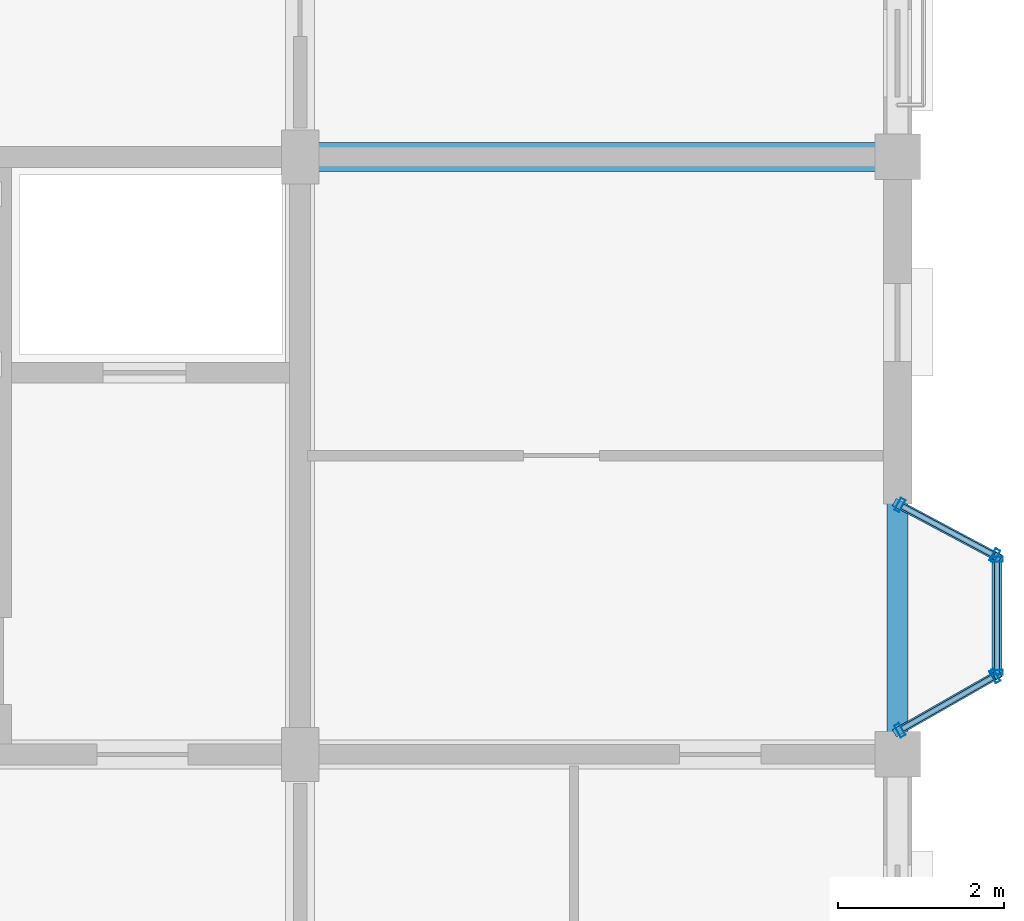
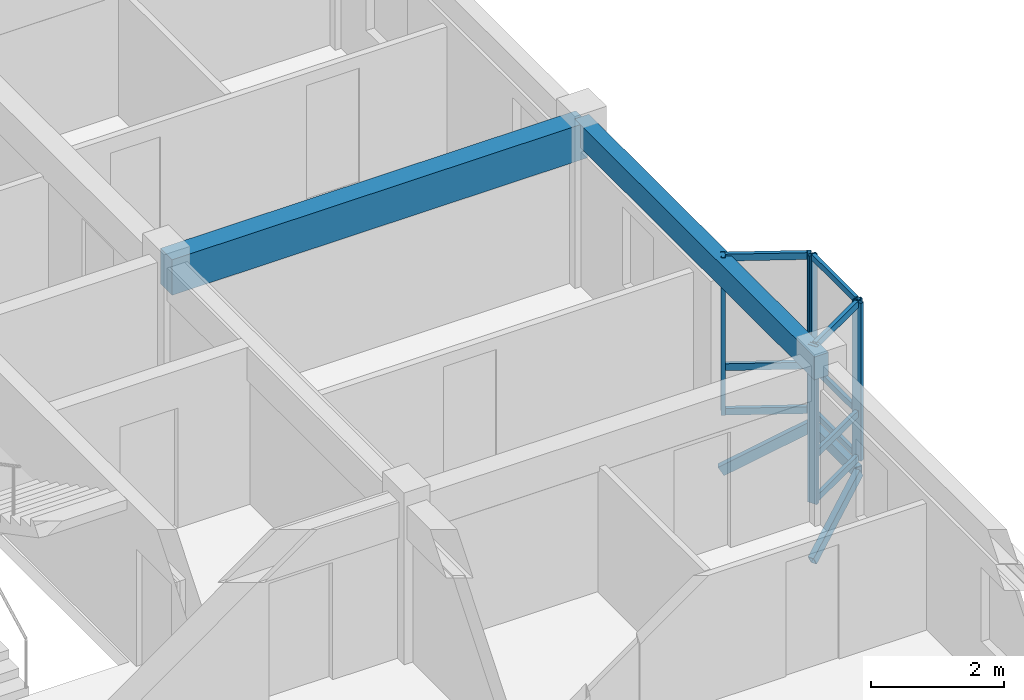
# One storey, part 30 of 79: 18 members, 2 beams, 3 elements without a shape of their own.
"""IFC4 building model written with IfcOpenShell, lengths in metres."""

from ifc_helpers import new_model, si_unit, direction, frame, origin, origin_2d, place, context, subcontext, project, spatial, rectangle, hollow_rectangle, extrude, material, layer, layer_set, material_profile, profile_set, type_object, element, aggregate, save


model = new_model("IFC4")

# Units and contexts
model_context = context("Model", 3, precision=1e-05, world=origin(), true_north=direction((0.0, 1.0)))
body_context = subcontext(model_context, "Body", "Model", "MODEL_VIEW")
ifc_project = project(units=[si_unit("LENGTHUNIT", "METRE"), si_unit("AREAUNIT", "SQUARE_METRE"), si_unit("VOLUMEUNIT", "CUBIC_METRE"), si_unit("PLANEANGLEUNIT", "RADIAN"), si_unit("MASSUNIT", "GRAM", prefix="KILO"), si_unit("THERMODYNAMICTEMPERATUREUNIT", "KELVIN"), si_unit("POWERUNIT", "WATT")], contexts=[model_context])

# Site, building, storey
site_placement = place(None, origin())
site = spatial("IfcSite", under=ifc_project, at=site_placement, CompositionType="ELEMENT")
building_placement = place(site_placement, origin())
building = spatial("IfcBuilding", under=site, at=building_placement, Name="Tavuni Mirador Residences", CompositionType="ELEMENT")
storey_placement = place(building_placement, frame((0.0, 0.0, 13.949951171875)))
storey = spatial("IfcBuildingStorey", under=building, at=storey_placement, Name="L04", CompositionType="ELEMENT", Elevation=13.949951171875)

# Beams
ifc_material_1 = material(Name="Precast concrete C40/50", Category="concrete")
ifc_material_profile_1 = material_profile(ifc_material_1, rectangle(XDim=0.35009765625, YDim=0.64990234375, at=origin_2d()), Name="PC 350x650", Category="concrete")
ifc_profile_set_1 = profile_set([ifc_material_profile_1], Name="Precast concrete C40/50")
beam_type_1 = type_object("IfcBeamType", Name="BT-B650", PredefinedType="BEAM", material=ifc_profile_set_1)
beam_1_placement = place(storey_placement, frame((111.60009765625, 115.199951171875, 2.56494140625), z_axis=(1.0, 0.0, 0.0), x_axis=(0.0, 1.0, 0.0)))
element("IfcBeam", 1, at=beam_1_placement, inside=storey, type_object=beam_type_1, Name="BMX-BLK-D-L04-03-04", PredefinedType="BEAM", context=body_context, shape_type="SweptSolid", body=[
    extrude(rectangle(XDim=0.35009765625, YDim=0.64990234375, at=origin_2d()), origin(), (0.0, 0.0, 1.0), 7.199951171875),
])
ifc_material_profile_2 = material_profile(ifc_material_1, rectangle(XDim=0.25, YDim=0.419921875, at=origin_2d()), Name="PC 250x420", Category="concrete")
ifc_profile_set_2 = profile_set([ifc_material_profile_2], Name="Precast concrete C40/50")
beam_type_2 = type_object("IfcBeamType", Name="BT-SP420", PredefinedType="SPANDREL", material=ifc_profile_set_2)
beam_2_placement = place(storey_placement, frame((118.800048828125, 108.0, 2.679931640625), z_axis=(0.0, 1.0, 0.0), x_axis=(-1.0, 0.0, 0.0)))
element("IfcBeam", 2, at=beam_2_placement, inside=storey, type_object=beam_type_2, Name="BMY-BLK-D-L04-04-03", PredefinedType="SPANDREL", context=body_context, shape_type="SweptSolid", body=[
    extrude(rectangle(XDim=0.25, YDim=0.419921875, at=origin_2d()), origin(), (0.0, 0.0, 1.0), 7.199951171875),
])

# Curtain wall, members
ifc_material_2 = material(Name="Anodised aluminium", Category="aluminium")
ifc_layer_1 = layer(ifc_material_2, 0.175048828125, Name="Anodised aluminium", Category="aluminium")
ifc_layer_set_1 = layer_set([ifc_layer_1], Name="Anodised aluminium")
curtain_wall_type_1 = type_object("IfcCurtainWallType", Name="CWT-MIR-C", PredefinedType="NOTDEFINED", material=ifc_layer_set_1)
curtain_wall_1_placement = place(storey_placement, origin())
curtain_wall_1 = element("IfcCurtainWall", 3, at=curtain_wall_1_placement, inside=storey, type_object=curtain_wall_type_1, Name="CW-MIR-D-E2-L04-MF", PredefinedType="NOTDEFINED")
ifc_material_profile_3 = material_profile(ifc_material_2, hollow_rectangle(XDim=0.06005859375, YDim=0.139892578125, WallThickness=0.00390625, at=origin_2d()), Name="ALU 60x140x4.0", Category="aluminium")
ifc_profile_set_3 = profile_set([ifc_material_profile_3], Name="Anodised aluminium")
member_type_1 = type_object("IfcMemberType", Name="CWM-140", PredefinedType="MULLION", material=ifc_profile_set_3)
member_1_placement = place(storey_placement, frame((120.0, 108.989990234375, 0.0), z_axis=(0.0, 0.0, 1.0), x_axis=(0.0, 1.0, 0.0)))
member_1 = element("IfcMember", 4, at=member_1_placement, type_object=member_type_1, Name="CW-03 mullion 1", PredefinedType="MULLION", context=body_context, shape_type="SweptSolid", body=[
    extrude(hollow_rectangle(XDim=0.06005859375, YDim=0.139892578125, WallThickness=0.00390625, at=origin_2d()), origin(), (0.0, 0.0, 1.0), 2.89013671875),
])
member_2_placement = place(storey_placement, frame((120.0, 110.35009765625, 0.0), z_axis=(0.0, 0.0, 1.0), x_axis=(0.0, 1.0, 0.0)))
member_2 = element("IfcMember", 5, at=member_2_placement, type_object=member_type_1, Name="CW-03 mullion 2", PredefinedType="MULLION", context=body_context, shape_type="SweptSolid", body=[
    extrude(hollow_rectangle(XDim=0.06005859375, YDim=0.139892578125, WallThickness=0.00390625, at=origin_2d()), origin(), (0.0, 0.0, 1.0), 2.89013671875),
])

ifc_layer_2 = layer(ifc_material_2, 0.14990234375, Name="Anodised aluminium", Category="aluminium")
ifc_layer_set_2 = layer_set([ifc_layer_2], Name="Anodised aluminium")
curtain_wall_type_2 = type_object("IfcCurtainWallType", Name="CWT-MIR-B", PredefinedType="NOTDEFINED", material=ifc_layer_set_2)
curtain_wall_2_placement = place(storey_placement, origin())
curtain_wall_2 = element("IfcCurtainWall", 6, at=curtain_wall_2_placement, inside=storey, type_object=curtain_wall_type_2, Name="CW-MIR-D-E2-L04-M1", PredefinedType="NOTDEFINED")
ifc_material_profile_4 = material_profile(ifc_material_2, hollow_rectangle(XDim=0.06494140625, YDim=0.1650390625, WallThickness=0.00439453125, at=origin_2d()), Name="ALU 65x165x4.5", Category="aluminium")
ifc_profile_set_4 = profile_set([ifc_material_profile_4], Name="Anodised aluminium")
member_type_2 = type_object("IfcMemberType", Name="CWM-165", PredefinedType="MULLION", material=ifc_profile_set_4)
member_3_placement = place(storey_placement, frame((118.828125, 108.291015625, 0.0), z_axis=(0.0, 0.0, 1.0), x_axis=(0.868465738194, 0.495749192217, 0.0)))
member_3 = element("IfcMember", 7, at=member_3_placement, type_object=member_type_2, Name="CW-02 mullion 1", PredefinedType="MULLION", context=body_context, shape_type="SweptSolid", body=[
    extrude(hollow_rectangle(XDim=0.06494140625, YDim=0.1650390625, WallThickness=0.00439453125, at=origin_2d()), origin(), (0.0, 0.0, 1.0), 2.89013671875),
])
member_4_placement = place(storey_placement, frame((119.9716796875, 108.94384765625, 0.0), z_axis=(0.0, 0.0, 1.0), x_axis=(0.868465738194, 0.495749192217, 0.0)))
member_4 = element("IfcMember", 8, at=member_4_placement, type_object=member_type_2, Name="CW-02 mullion 2", PredefinedType="MULLION", context=body_context, shape_type="SweptSolid", body=[
    extrude(hollow_rectangle(XDim=0.06494140625, YDim=0.1650390625, WallThickness=0.00439453125, at=origin_2d()), origin(), (0.0, 0.0, 1.0), 2.89013671875),
])

ifc_layer_3 = layer(ifc_material_2, 0.159912109375, Name="Anodised aluminium", Category="aluminium")
ifc_layer_set_3 = layer_set([ifc_layer_3], Name="Anodised aluminium")
curtain_wall_type_3 = type_object("IfcCurtainWallType", Name="CWT-MIR-D", PredefinedType="NOTDEFINED", material=ifc_layer_set_3)
curtain_wall_3_placement = place(storey_placement, origin())
curtain_wall_3 = element("IfcCurtainWall", 9, at=curtain_wall_3_placement, inside=storey, type_object=curtain_wall_type_3, Name="CW-MIR-D-E2-L04-M2", PredefinedType="NOTDEFINED")
member_5_placement = place(storey_placement, frame((119.971435546875, 110.395263671875, 0.0), z_axis=(0.0, 0.0, 1.0), x_axis=(-0.882352941175, 0.470588235296, 0.0)))
member_5 = element("IfcMember", 10, at=member_5_placement, type_object=member_type_2, Name="CW-04 mullion 1", PredefinedType="MULLION", context=body_context, shape_type="SweptSolid", body=[
    extrude(hollow_rectangle(XDim=0.06494140625, YDim=0.1650390625, WallThickness=0.00439453125, at=origin_2d()), origin(), (0.0, 0.0, 1.0), 2.89013671875),
])
member_6_placement = place(storey_placement, frame((118.82861328125, 111.004638671875, 0.0), z_axis=(0.0, 0.0, 1.0), x_axis=(-0.882352941175, 0.470588235296, 0.0)))
member_6 = element("IfcMember", 11, at=member_6_placement, type_object=member_type_2, Name="CW-04 mullion 2", PredefinedType="MULLION", context=body_context, shape_type="SweptSolid", body=[
    extrude(hollow_rectangle(XDim=0.06494140625, YDim=0.1650390625, WallThickness=0.00439453125, at=origin_2d()), origin(), (0.0, 0.0, 1.0), 2.89013671875),
])

# Member
ifc_material_profile_5 = material_profile(ifc_material_2, hollow_rectangle(XDim=0.06005859375, YDim=0.110107421875, WallThickness=0.00390625, at=origin_2d()), Name="ALU 60x110x4.0", Category="aluminium")
ifc_profile_set_5 = profile_set([ifc_material_profile_5], Name="Anodised aluminium")
member_type_3 = type_object("IfcMemberType", Name="CWT-110", PredefinedType="USERDEFINED", material=ifc_profile_set_5)
member_7_placement = place(storey_placement, frame((120.0, 109.02001953125, 0.030029296875), z_axis=(0.0, 1.0, 0.0), x_axis=(-1.0, 0.0, 0.0)))
member_7 = element("IfcMember", 12, at=member_7_placement, type_object=member_type_3, Name="CW-03 transom 1.1", ObjectType="TRANSOM", PredefinedType="USERDEFINED", context=body_context, shape_type="SweptSolid", body=[
    extrude(hollow_rectangle(XDim=0.06005859375, YDim=0.110107421875, WallThickness=0.00390625, at=origin_2d()), origin(), (0.0, 0.0, 1.0), 1.300048828125),
])

member_8_placement = place(storey_placement, frame((120.0, 109.02001953125, 0.85009765625), z_axis=(0.0, 1.0, 0.0), x_axis=(-1.0, 0.0, 0.0)))
member_8 = element("IfcMember", 13, at=member_8_placement, type_object=member_type_3, Name="CW-03 transom 1.2", ObjectType="TRANSOM", PredefinedType="USERDEFINED", context=body_context, shape_type="SweptSolid", body=[
    extrude(hollow_rectangle(XDim=0.06005859375, YDim=0.110107421875, WallThickness=0.00390625, at=origin_2d()), origin(), (0.0, 0.0, 1.0), 1.300048828125),
])

member_9_placement = place(storey_placement, frame((120.0, 109.02001953125, 2.860107421875), z_axis=(0.0, 1.0, 0.0), x_axis=(-1.0, 0.0, 0.0)))
member_9 = element("IfcMember", 14, at=member_9_placement, type_object=member_type_3, Name="CW-03 transom 1.3", ObjectType="TRANSOM", PredefinedType="USERDEFINED", context=body_context, shape_type="SweptSolid", body=[
    extrude(hollow_rectangle(XDim=0.06005859375, YDim=0.110107421875, WallThickness=0.00390625, at=origin_2d()), origin(), (0.0, 0.0, 1.0), 1.300048828125),
])

aggregate(curtain_wall_1, [member_1, member_2, member_7, member_8, member_9])

ifc_material_profile_6 = material_profile(ifc_material_2, hollow_rectangle(XDim=0.06494140625, YDim=0.125, WallThickness=0.00439453125, at=origin_2d()), Name="ALU 65x125x4.5", Category="aluminium")
ifc_profile_set_6 = profile_set([ifc_material_profile_6], Name="Anodised aluminium")
member_type_4 = type_object("IfcMemberType", Name="CWT-125", PredefinedType="USERDEFINED", material=ifc_profile_set_6)
member_10_placement = place(storey_placement, frame((118.8564453125, 108.30712890625, 0.032470703125), z_axis=(0.868459090685, 0.495760837306, 0.0), x_axis=(-0.495760837306, 0.868459090685, 0.0)))
member_10 = element("IfcMember", 15, at=member_10_placement, type_object=member_type_4, Name="CW-02 transom 1.1", ObjectType="TRANSOM", PredefinedType="USERDEFINED", context=body_context, shape_type="SweptSolid", body=[
    extrude(hollow_rectangle(XDim=0.06494140625, YDim=0.125, WallThickness=0.00439453125, at=origin_2d()), origin(), (0.0, 0.0, 1.0), 1.251708984375),
])

member_11_placement = place(storey_placement, frame((118.8564453125, 108.30712890625, 0.85009765625), z_axis=(0.868459090685, 0.495760837306, 0.0), x_axis=(-0.495760837306, 0.868459090685, 0.0)))
member_11 = element("IfcMember", 16, at=member_11_placement, type_object=member_type_4, Name="CW-02 transom 1.2", ObjectType="TRANSOM", PredefinedType="USERDEFINED", context=body_context, shape_type="SweptSolid", body=[
    extrude(hollow_rectangle(XDim=0.06494140625, YDim=0.125, WallThickness=0.00439453125, at=origin_2d()), origin(), (0.0, 0.0, 1.0), 1.251708984375),
])

member_12_placement = place(storey_placement, frame((118.8564453125, 108.30712890625, 2.857666015625), z_axis=(0.868459090685, 0.495760837306, 0.0), x_axis=(-0.495760837306, 0.868459090685, 0.0)))
member_12 = element("IfcMember", 17, at=member_12_placement, type_object=member_type_4, Name="CW-02 transom 1.3", ObjectType="TRANSOM", PredefinedType="USERDEFINED", context=body_context, shape_type="SweptSolid", body=[
    extrude(hollow_rectangle(XDim=0.06494140625, YDim=0.125, WallThickness=0.00439453125, at=origin_2d()), origin(), (0.0, 0.0, 1.0), 1.251708984375),
])

aggregate(curtain_wall_2, [member_3, member_4, member_10, member_11, member_12])

member_13_placement = place(storey_placement, frame((119.942626953125, 110.41064453125, 0.032470703125), z_axis=(-0.882325465843, 0.470639747922, 0.0), x_axis=(-0.470639747922, -0.882325465843, 0.0)))
member_13 = element("IfcMember", 18, at=member_13_placement, type_object=member_type_4, Name="CW-04 transom 1.1", ObjectType="TRANSOM", PredefinedType="USERDEFINED", context=body_context, shape_type="SweptSolid", body=[
    extrude(hollow_rectangle(XDim=0.06494140625, YDim=0.125, WallThickness=0.00439453125, at=origin_2d()), origin(), (0.0, 0.0, 1.0), 1.22998046875),
])

member_14_placement = place(storey_placement, frame((119.942626953125, 110.41064453125, 0.85009765625), z_axis=(-0.882325465843, 0.470639747922, 0.0), x_axis=(-0.470639747922, -0.882325465843, 0.0)))
member_14 = element("IfcMember", 19, at=member_14_placement, type_object=member_type_4, Name="CW-04 transom 1.2", ObjectType="TRANSOM", PredefinedType="USERDEFINED", context=body_context, shape_type="SweptSolid", body=[
    extrude(hollow_rectangle(XDim=0.06494140625, YDim=0.125, WallThickness=0.00439453125, at=origin_2d()), origin(), (0.0, 0.0, 1.0), 1.22998046875),
])

member_15_placement = place(storey_placement, frame((119.942626953125, 110.41064453125, 2.857666015625), z_axis=(-0.882325465843, 0.470639747922, 0.0), x_axis=(-0.470639747922, -0.882325465843, 0.0)))
member_15 = element("IfcMember", 20, at=member_15_placement, type_object=member_type_4, Name="CW-04 transom 1.3", ObjectType="TRANSOM", PredefinedType="USERDEFINED", context=body_context, shape_type="SweptSolid", body=[
    extrude(hollow_rectangle(XDim=0.06494140625, YDim=0.125, WallThickness=0.00439453125, at=origin_2d()), origin(), (0.0, 0.0, 1.0), 1.22998046875),
])

aggregate(curtain_wall_3, [member_5, member_6, member_13, member_14, member_15])

# Members
ifc_material_3 = material(Name="Structural steel S355", Category="steel")
ifc_material_profile_7 = material_profile(ifc_material_3, hollow_rectangle(XDim=0.10009765625, YDim=0.179931640625, WallThickness=0.008056640625, at=origin_2d()), Name="RHS 180x100x8.0", Category="steel")
ifc_profile_set_7 = profile_set([ifc_material_profile_7], Name="Structural steel S355")
member_type_5 = type_object("IfcMemberType", Name="MT-BR-RHS180", PredefinedType="BRACE", material=ifc_profile_set_7)
member_16_placement = place(storey_placement, frame((118.800048828125, 108.27490234375, -1.050048828125), z_axis=(0.753903905175, 0.430407804256, 0.496364809185), x_axis=(-0.495796390047, 0.868438794398, 0.0)))
element("IfcMember", 21, at=member_16_placement, inside=storey, type_object=member_type_5, Name="MBRK-MIR-D-E2-L04-1", PredefinedType="BRACE", context=body_context, shape_type="SweptSolid", body=[
    extrude(hollow_rectangle(XDim=0.10009765625, YDim=0.179931640625, WallThickness=0.008056640625, at=origin_2d()), origin(), (0.0, 0.0, 1.0), 1.591552734375),
])
member_17_placement = place(storey_placement, frame((118.800048828125, 111.02001953125, -1.050048828125), z_axis=(0.762920992699, -0.406994678099, 0.502301593565), x_axis=(0.470681405175, 0.882303244255, 0.0)))
element("IfcMember", 22, at=member_17_placement, inside=storey, type_object=member_type_5, Name="MBRK-MIR-D-E2-L04-2", PredefinedType="BRACE", context=body_context, shape_type="SweptSolid", body=[
    extrude(hollow_rectangle(XDim=0.10009765625, YDim=0.179931640625, WallThickness=0.008056640625, at=origin_2d()), origin(), (0.0, 0.0, 1.0), 1.57275390625),
])
ifc_material_profile_8 = material_profile(ifc_material_3, hollow_rectangle(XDim=0.1201171875, YDim=0.199951171875, WallThickness=0.010009765625, at=origin_2d()), Name="RHS 200x120x10.0", Category="steel")
ifc_profile_set_8 = profile_set([ifc_material_profile_8], Name="Structural steel S355")
member_type_6 = type_object("IfcMemberType", Name="MT-ST-RHS200", PredefinedType="STRUT", material=ifc_profile_set_8)
member_18_placement = place(storey_placement, frame((120.0, 108.9599609375, -0.260009765625), z_axis=(0.0, 1.0, 0.0), x_axis=(-1.0, 0.0, 0.0)))
element("IfcMember", 23, at=member_18_placement, inside=storey, type_object=member_type_6, Name="MRIM-MIR-D-E2-L04", PredefinedType="STRUT", context=body_context, shape_type="SweptSolid", body=[
    extrude(hollow_rectangle(XDim=0.1201171875, YDim=0.199951171875, WallThickness=0.010009765625, at=origin_2d()), origin(), (0.0, 0.0, 1.0), 1.419921875),
])

save(model, "model.ifc")
